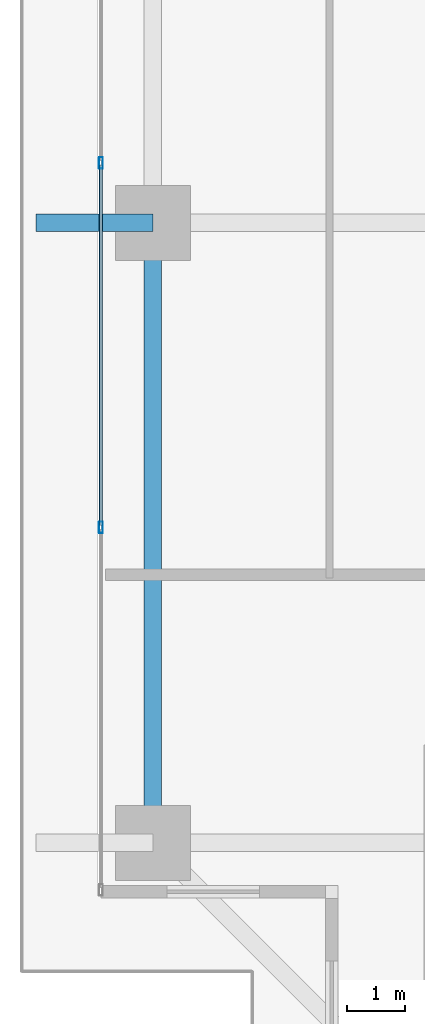
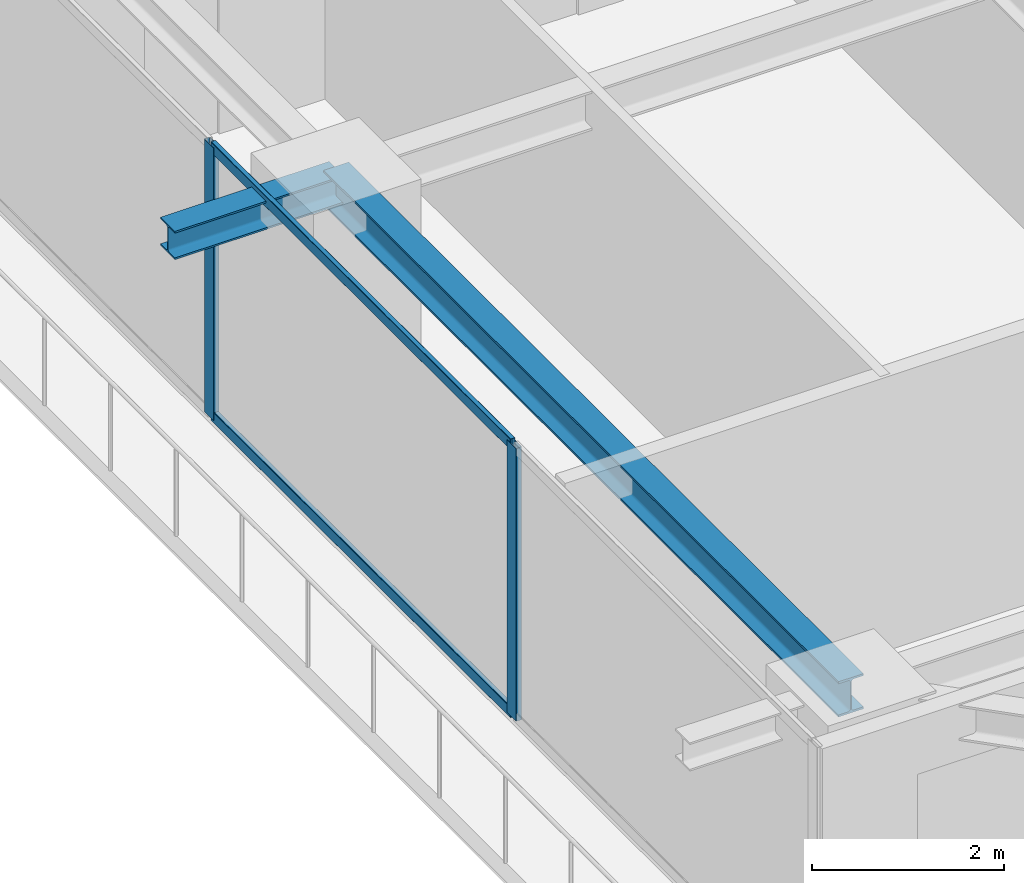
# One storey, part 6 of 36: 4 members, 2 beams, 1 element without a shape of its own.
"""IFC4 building model written with IfcOpenShell, lengths in metres."""

import ifcopenshell
import ifcopenshell.guid

model = None  # the IFC model being written
_history = None  # IfcOwnerHistory: only IFC2X3 demands one
_inside = {}  # id of a spatial element -> (the spatial element, [elements in it])
_under = {}  # id of a project, library or spatial element -> (it, [spatial elements below it])
_declared = {}  # id of a project -> (the project, [libraries it declares])
_typed = {}  # id of a type object -> (the type object, [elements of that type])
_made_of = {}  # id of a material, layer set ... -> (it, [elements and type objects made of it])


def new_model(schema):
    """Start an empty IFC model of exactly this schema.

    Asked for "IFC4X3", IfcOpenShell would pick the latest addendum, in which some entities
    have other attributes; the version numbers below select the first issue.
    IFC2X3 requires an IfcOwnerHistory on every rooted entity: one is made here for all.
    """
    global model, _history
    if schema == "IFC4X3":
        model = ifcopenshell.file(schema_version=(4, 3, 0, 0))
    else:
        model = ifcopenshell.file(schema=schema)
    _inside.clear()
    _under.clear()
    _declared.clear()
    _typed.clear()
    _made_of.clear()
    _history = None
    if model.schema == "IFC2X3":
        org = make("IfcOrganization", Name="unknown")
        user = make(
            "IfcPersonAndOrganization",
            ThePerson=make("IfcPerson", FamilyName="unknown"),
            TheOrganization=org,
        )
        app = make(
            "IfcApplication",
            ApplicationDeveloper=org,
            Version="unknown",
            ApplicationFullName="unknown",
            ApplicationIdentifier="unknown",
        )
        _history = make(
            "IfcOwnerHistory",
            OwningUser=user,
            OwningApplication=app,
            ChangeAction="ADDED",
            CreationDate=0,
        )
    return model


def make(cls, **values):
    """One entity of the class cls with the attributes given. An attribute that is None is left unset."""
    return model.create_entity(
        cls, **{name: value for name, value in values.items() if value is not None}
    )


def rooted(cls, **values):
    """An entity with a GlobalId (a new one), such as an element, a storey or a relation."""
    return make(cls, GlobalId=ifcopenshell.guid.new(), OwnerHistory=_history, **values)


def si_unit(unit_type, name, prefix=None):
    """IfcSIUnit, for example si_unit("LENGTHUNIT", "METRE", prefix="MILLI")."""
    return make("IfcSIUnit", UnitType=unit_type, Prefix=prefix, Name=name)


def assignment(units):
    """IfcUnitAssignment: the units of a project."""
    return None if units is None else make("IfcUnitAssignment", Units=units)


def point(xyz):
    """IfcCartesianPoint."""
    return None if xyz is None else make("IfcCartesianPoint", Coordinates=xyz)


def direction(xyz):
    """IfcDirection."""
    return None if xyz is None else make("IfcDirection", DirectionRatios=xyz)


def frame(location, z_axis=None, x_axis=None):
    """IfcAxis2Placement3D, a coordinate frame: its origin and axes. An axis left out is left unset."""
    return make(
        "IfcAxis2Placement3D",
        Location=point(location),
        Axis=direction(z_axis),
        RefDirection=direction(x_axis),
    )


def frame_2d(location, x_axis=None):
    """IfcAxis2Placement2D, a coordinate frame in the plane: its origin and x axis."""
    return make(
        "IfcAxis2Placement2D", Location=point(location), RefDirection=direction(x_axis)
    )


def origin():
    """The frame at (0, 0, 0) with its axes left unset."""
    return frame((0.0, 0.0, 0.0))


def origin_2d():
    """The frame at (0, 0) in the plane with its x axis left unset."""
    return frame_2d((0.0, 0.0))


def place(relative_to, where):
    """IfcLocalPlacement: puts the frame where relative to a parent placement (None: the world)."""
    return make(
        "IfcLocalPlacement", PlacementRelTo=relative_to, RelativePlacement=where
    )


def context(
    kind, dimensions, precision=None, world=None, true_north=None, identifier=None
):
    """IfcGeometricRepresentationContext, for example the 3D "Model" context."""
    return make(
        "IfcGeometricRepresentationContext",
        ContextIdentifier=identifier,
        ContextType=kind,
        CoordinateSpaceDimension=dimensions,
        Precision=precision,
        WorldCoordinateSystem=world,
        TrueNorth=true_north,
    )


def subcontext(parent, identifier, kind, view, scale=None):
    """IfcGeometricRepresentationSubContext, for example "Body" below "Model"."""
    return make(
        "IfcGeometricRepresentationSubContext",
        ContextIdentifier=identifier,
        ContextType=kind,
        ParentContext=parent,
        TargetScale=scale,
        TargetView=view,
    )


def project(units=None, contexts=None):
    """IfcProject with its units and contexts."""
    return rooted(
        "IfcProject",
        Name="project",
        RepresentationContexts=contexts,
        UnitsInContext=assignment(units),
    )


def spatial(cls, under=None, at=None, **own):
    """A site, building, storey or space (cls), placed at a placement, below another one or the project."""
    s = rooted(cls, ObjectPlacement=at, **own)
    if under is not None:
        _under.setdefault(under.id(), (under, []))[1].append(s)
    return s


def profile(cls, at=None, kind="AREA", **sizes):
    """A parametric profile (cls). Its sizes go by their IFC names, for example OverallWidth=200.0."""
    return make(cls, ProfileType=kind, Position=at, **sizes)


def hollow_rectangle(**sizes):
    """IfcRectangleHollowProfileDef."""
    return profile("IfcRectangleHollowProfileDef", **sizes)


def i_section(**sizes):
    """IfcIShapeProfileDef."""
    return profile("IfcIShapeProfileDef", **sizes)


def extrude(swept, where, along, depth):
    """IfcExtrudedAreaSolid: the profile swept, set in the frame where, extruded along a direction by depth."""
    return make(
        "IfcExtrudedAreaSolid",
        SweptArea=swept,
        Position=where,
        ExtrudedDirection=direction(along),
        Depth=depth,
    )


def shape(context_of_items, identifier, shape_type, items):
    """IfcShapeRepresentation: the items that make up one representation, for example the "Body"."""
    return make(
        "IfcShapeRepresentation",
        ContextOfItems=context_of_items,
        RepresentationIdentifier=identifier,
        RepresentationType=shape_type,
        Items=items,
    )


def source(mapping_origin, context_of_items, identifier, shape_type, items):
    """IfcRepresentationMap: a shape defined once, which mapped items show again and again."""
    return make(
        "IfcRepresentationMap",
        MappingOrigin=mapping_origin,
        MappedRepresentation=shape(context_of_items, identifier, shape_type, items),
    )


def transform(
    local_origin,
    x_axis=None,
    y_axis=None,
    z_axis=None,
    scale=None,
    scale2=None,
    scale3=None,
    uniform=True,
):
    """IfcCartesianTransformationOperator3D, or its non-uniform kind. x_axis, y_axis, z_axis: its Axis1, 2, 3."""
    if uniform:
        return make(
            "IfcCartesianTransformationOperator3D",
            Axis1=direction(x_axis),
            Axis2=direction(y_axis),
            LocalOrigin=point(local_origin),
            Scale=scale,
            Axis3=direction(z_axis),
        )
    return make(
        "IfcCartesianTransformationOperator3DnonUniform",
        Axis1=direction(x_axis),
        Axis2=direction(y_axis),
        LocalOrigin=point(local_origin),
        Scale=scale,
        Axis3=direction(z_axis),
        Scale2=scale2,
        Scale3=scale3,
    )


def mapped(mapping_source, mapping_target):
    """IfcMappedItem: shows the shape of a source again, moved by a transform."""
    return make(
        "IfcMappedItem", MappingSource=mapping_source, MappingTarget=mapping_target
    )


def material(Name=None, Category=None):
    """IfcMaterial."""
    return make("IfcMaterial", Name=Name, Category=Category)


def layer(
    of_material, thickness, ventilated=None, Name=None, Category=None, Priority=None
):
    """IfcMaterialLayer: one layer of a wall or slab, of a material (None: an air gap)."""
    return make(
        "IfcMaterialLayer",
        Material=of_material,
        LayerThickness=thickness,
        IsVentilated=ventilated,
        Name=Name,
        Category=Category,
        Priority=Priority,
    )


def layer_set(layers, Name=None):
    """IfcMaterialLayerSet."""
    return make("IfcMaterialLayerSet", MaterialLayers=layers, LayerSetName=Name)


def material_profile(
    of_material, cross_section, Name=None, Category=None, Priority=None
):
    """IfcMaterialProfile: a cross section and its material."""
    return make(
        "IfcMaterialProfile",
        Name=Name,
        Material=of_material,
        Profile=cross_section,
        Priority=Priority,
        Category=Category,
    )


def profile_set(profiles, Name=None, composite=None):
    """IfcMaterialProfileSet."""
    return make(
        "IfcMaterialProfileSet",
        Name=Name,
        MaterialProfiles=profiles,
        CompositeProfile=composite,
    )


def made_of(thing, what):
    """Note that an element or type object is made of a material, layer set ...; save() writes the relation."""
    if what is not None:
        _made_of.setdefault(what.id(), (what, []))[1].append(thing)
    return thing


def type_object(cls, material=None, **own):
    """A type object (cls), such as IfcWallType, which elements share."""
    return made_of(rooted(cls, **own), material)


def element(
    cls,
    number,
    at=None,
    inside=None,
    cuts=None,
    type_object=None,
    material=None,
    context=None,
    identifier="Body",
    shape_type=None,
    held_by="IfcProductDefinitionShape",
    body=None,
    shapes=None,
    **own,
):
    """One element of the class cls, such as IfcWall. Its Tag is "e" and its number.

    at: its placement. inside: the storey or other place that contains it. cuts: it is an
    opening in that element (IfcRelVoidsElement). A single representation is given by context,
    identifier, shape_type and body (its items); several are given by shapes. held_by: the class
    of the entity that holds the representations. save() writes the other relations.
    """
    e = rooted(cls, Tag="e%d" % number, ObjectPlacement=at, **own)
    if body is not None:
        shapes = [shape(context, identifier, shape_type, body)]
    if shapes is not None:
        e.Representation = make(held_by, Representations=shapes)
    if inside is not None:
        _inside.setdefault(inside.id(), (inside, []))[1].append(e)
    if cuts is not None:
        rooted(
            "IfcRelVoidsElement", RelatingBuildingElement=cuts, RelatedOpeningElement=e
        )
    if type_object is not None:
        _typed.setdefault(type_object.id(), (type_object, []))[1].append(e)
    return made_of(e, material)


def aggregate(whole, parts):
    """IfcRelAggregates: a whole, such as a stair, and the parts it consists of."""
    return rooted("IfcRelAggregates", RelatingObject=whole, RelatedObjects=parts)


def save(model, path):
    """Write the relations noted so far, then the file.

    IfcRelAggregates (storeys below a building ...), IfcRelContainedInSpatialStructure (elements
    in a storey), IfcRelDefinesByType, IfcRelAssociatesMaterial and IfcRelDeclares: one each for
    every whole, place, type object, material and project.
    """
    for whole, parts in _under.values():
        aggregate(whole, parts)
    for where, things in _inside.values():
        rooted(
            "IfcRelContainedInSpatialStructure",
            RelatedElements=things,
            RelatingStructure=where,
        )
    for kind, things in _typed.values():
        rooted("IfcRelDefinesByType", RelatedObjects=things, RelatingType=kind)
    for what, things in _made_of.values():
        rooted("IfcRelAssociatesMaterial", RelatedObjects=things, RelatingMaterial=what)
    for by, libraries in _declared.values():
        rooted("IfcRelDeclares", RelatingContext=by, RelatedDefinitions=libraries)
    model.write(path)


model = new_model("IFC4")

# Units and contexts
model_context = context("Model", 3, precision=1e-05, world=origin(), true_north=direction((0.0, 1.0)))
body_context = subcontext(model_context, "Body", "Model", "MODEL_VIEW")
ifc_project = project(units=[si_unit("LENGTHUNIT", "METRE"), si_unit("AREAUNIT", "SQUARE_METRE"), si_unit("VOLUMEUNIT", "CUBIC_METRE"), si_unit("PLANEANGLEUNIT", "RADIAN"), si_unit("MASSUNIT", "GRAM", prefix="KILO")], contexts=[model_context])

# Site, building, storey
site_placement = place(None, origin())
site = spatial("IfcSite", under=ifc_project, at=site_placement, CompositionType="ELEMENT")
building_placement = place(site_placement, origin())
building = spatial("IfcBuilding", under=site, at=building_placement, Name="Serunith Strait Residences", CompositionType="ELEMENT")
storey_placement = place(building_placement, frame((0.0, 0.0, 146.39990234375)))
storey = spatial("IfcBuildingStorey", under=building, at=storey_placement, Name="L36", CompositionType="ELEMENT", Elevation=146.39990234375)

# Beams
ifc_material_1 = material(Name="Steel S355J2", Category="steel")
ifc_material_profile_1 = material_profile(ifc_material_1, i_section(OverallWidth=0.300048828125, OverallDepth=0.449951171875, WebThickness=0.013916015625, FlangeThickness=0.02587890625, FilletRadius=0.027099609375, at=origin_2d()), Name="HEB 450")
ifc_profile_set_1 = profile_set([ifc_material_profile_1], Name="Steel S355J2")
beam_type_1 = type_object("IfcBeamType", Name="BM-HEB450", PredefinedType="BEAM", material=ifc_profile_set_1)
shared_shape_1 = source(origin(), body_context, "Body", "SweptSolid", [
    extrude(i_section(OverallWidth=0.300048828125, OverallDepth=0.449951171875, WebThickness=0.013916015625, FlangeThickness=0.02587890625, FilletRadius=0.027099609375, at=origin_2d()), origin(), (0.0, 0.0, 1.0), 10.75),
])
beam_1_placement = place(storey_placement, frame((8.699951171875, 21.0, 3.26220703125), z_axis=(0.0, -1.0, 0.0), x_axis=(1.0, 0.0, 0.0)))
element("IfcBeam", 1, at=beam_1_placement, inside=storey, type_object=beam_type_1, Name="L36 Perimeter Ring Beam 15", PredefinedType="BEAM", context=body_context, shape_type="MappedRepresentation", body=[
    mapped(shared_shape_1, transform((0.0, 0.0, 0.0), scale=1.0)),
])
ifc_material_profile_2 = material_profile(ifc_material_1, i_section(OverallWidth=0.300048828125, OverallDepth=0.360107421875, WebThickness=0.012451171875, FlangeThickness=0.0224609375, FilletRadius=0.027099609375, at=origin_2d()), Name="HEB 360")
ifc_profile_set_2 = profile_set([ifc_material_profile_2], Name="Steel S355J2")
beam_type_2 = type_object("IfcBeamType", Name="BM-HEB360", PredefinedType="BEAM", material=ifc_profile_set_2)
shared_shape_2 = source(origin(), body_context, "Body", "SweptSolid", [
    extrude(i_section(OverallWidth=0.300048828125, OverallDepth=0.360107421875, WebThickness=0.012451171875, FlangeThickness=0.0224609375, FilletRadius=0.027099609375, at=origin_2d()), origin(), (0.0, 0.0, 1.0), 2.030029296875),
])
beam_2_placement = place(storey_placement, frame((8.699951171875, 21.0, 3.277099609375), z_axis=(-1.0, 0.0, 0.0), x_axis=(0.0, -1.0, 0.0)))
element("IfcBeam", 2, at=beam_2_placement, inside=storey, type_object=beam_type_2, Name="L37 Cantilevered Balcony Rib TC-W2", PredefinedType="BEAM", context=body_context, shape_type="MappedRepresentation", body=[
    mapped(shared_shape_2, transform((0.0, 0.0, 0.0), scale=1.0)),
])

# Curtain wall, members
ifc_material_2 = material(Name="Pale-Champagne Anodised Aluminium", Category="aluminium")
ifc_layer = layer(ifc_material_2, 0.199951171875, Name="Pale-Champagne Anodised Aluminium")
ifc_layer_set = layer_set([ifc_layer], Name="Pale-Champagne Anodised Aluminium")
curtain_wall_type = type_object("IfcCurtainWallType", Name="CW-SYS2", PredefinedType="NOTDEFINED", material=ifc_layer_set)
curtain_wall_placement = place(storey_placement, origin())
curtain_wall = element("IfcCurtainWall", 3, at=curtain_wall_placement, inside=storey, type_object=curtain_wall_type, Name="L36 W Unitised Fritted Curtain Wall", PredefinedType="NOTDEFINED")
ifc_material_profile_3 = material_profile(ifc_material_2, hollow_rectangle(XDim=0.070068359375, YDim=0.199951171875, WallThickness=0.00390625, InnerFilletRadius=0.006103515625, OuterFilletRadius=0.010009765625, at=origin_2d()), Name="ALU 200x70x4")
ifc_profile_set_3 = profile_set([ifc_material_profile_3], Name="Pale-Champagne Anodised Aluminium")
member_type_1 = type_object("IfcMemberType", Name="CW-SYS2-MULL", PredefinedType="MULLION", material=ifc_profile_set_3)
shared_shape_3 = source(origin(), body_context, "Body", "SweptSolid", [
    extrude(hollow_rectangle(XDim=0.070068359375, YDim=0.199951171875, WallThickness=0.00390625, InnerFilletRadius=0.006103515625, OuterFilletRadius=0.010009765625, at=origin_2d()), origin(), (0.0, 0.0, 1.0), 3.47509765625),
])
member_1_placement = place(storey_placement, frame((7.800048828125, 22.0400390625, 0.0), z_axis=(0.0, 0.0, 1.0), x_axis=(1.0, 0.0, 0.0)))
member_1 = element("IfcMember", 4, at=member_1_placement, type_object=member_type_1, Name="CW-2 mullion 4", PredefinedType="MULLION", context=body_context, shape_type="MappedRepresentation", body=[
    mapped(shared_shape_3, transform((0.0, 0.0, 0.0), scale=1.0)),
])
member_2_placement = place(storey_placement, frame((7.800048828125, 15.719970703125, 0.0), z_axis=(0.0, 0.0, 1.0), x_axis=(1.0, 0.0, 0.0)))
member_2 = element("IfcMember", 5, at=member_2_placement, type_object=member_type_1, Name="CW-2 mullion 5", PredefinedType="MULLION", context=body_context, shape_type="MappedRepresentation", body=[
    mapped(shared_shape_3, transform((0.0, 0.0, 0.0), scale=1.0)),
])
ifc_material_profile_4 = material_profile(ifc_material_2, hollow_rectangle(XDim=0.06005859375, YDim=0.139892578125, WallThickness=0.00341796875, InnerFilletRadius=0.00537109375, OuterFilletRadius=0.0087890625, at=origin_2d()), Name="ALU 140x60x3.5")
ifc_profile_set_4 = profile_set([ifc_material_profile_4], Name="Pale-Champagne Anodised Aluminium")
member_type_2 = type_object("IfcMemberType", Name="CW-SYS2-TRAN", PredefinedType="USERDEFINED", material=ifc_profile_set_4)
shared_shape_4 = source(origin(), body_context, "Body", "SweptSolid", [
    extrude(hollow_rectangle(XDim=0.06005859375, YDim=0.139892578125, WallThickness=0.00341796875, InnerFilletRadius=0.00537109375, OuterFilletRadius=0.0087890625, at=origin_2d()), origin(), (0.0, 0.0, 1.0), 6.25),
])
member_3_placement = place(storey_placement, frame((7.800048828125, 22.0048828125, 0.030029296875), z_axis=(0.0, -1.0, 0.0), x_axis=(1.0, 0.0, 0.0)))
member_3 = element("IfcMember", 6, at=member_3_placement, type_object=member_type_2, Name="CW-2 transom 4.1", ObjectType="TRANSOM", PredefinedType="USERDEFINED", context=body_context, shape_type="MappedRepresentation", body=[
    mapped(shared_shape_4, transform((0.0, 0.0, 0.0), scale=1.0)),
])
member_4_placement = place(storey_placement, frame((7.800048828125, 22.0048828125, 3.445068359375), z_axis=(0.0, -1.0, 0.0), x_axis=(1.0, 0.0, 0.0)))
member_4 = element("IfcMember", 7, at=member_4_placement, type_object=member_type_2, Name="CW-2 transom 4.2", ObjectType="TRANSOM", PredefinedType="USERDEFINED", context=body_context, shape_type="MappedRepresentation", body=[
    mapped(shared_shape_4, transform((0.0, 0.0, 0.0), scale=1.0)),
])
aggregate(curtain_wall, [member_1, member_2, member_3, member_4])

save(model, "model.ifc")
